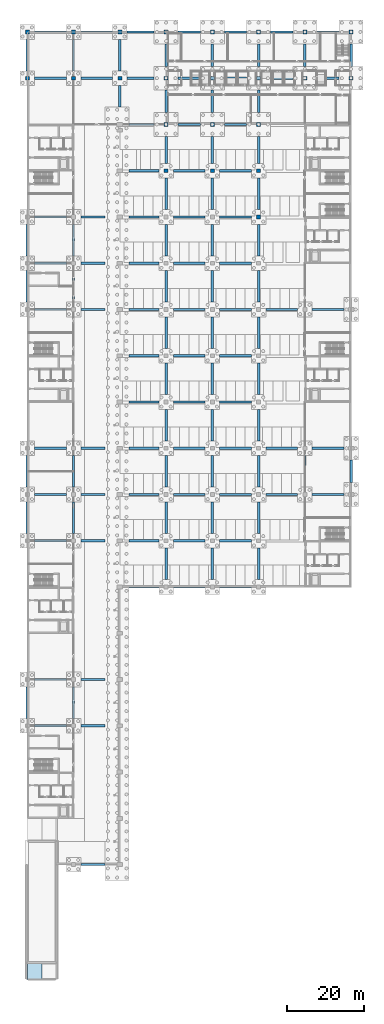
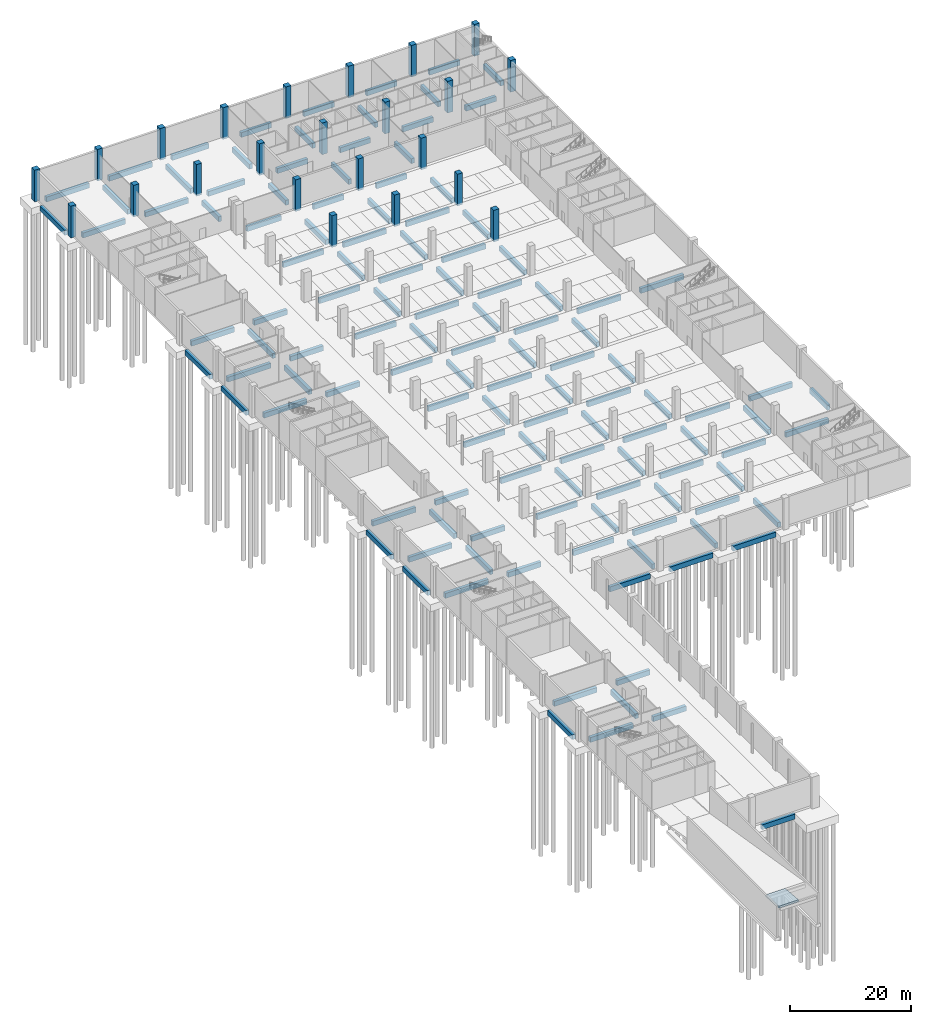
# One storey, part 14 of 34: 124 beams, 23 columns, 1 slab.
"""IFC4 building model written with IfcOpenShell, lengths in metres."""

from ifc_helpers import new_model, si_unit, direction, frame, origin, origin_2d, place, context, subcontext, project, spatial, polyline, rectangle, outline, extrude, material, layer, layer_set, material_profile, profile_set, type_object, element, save


model = new_model("IFC4")

# Units and contexts
model_context = context("Model", 3, precision=1e-05, world=origin(), true_north=direction((0.0, 1.0)))
body_context = subcontext(model_context, "Body", "Model", "MODEL_VIEW")
ifc_project = project(units=[si_unit("LENGTHUNIT", "METRE"), si_unit("AREAUNIT", "SQUARE_METRE"), si_unit("VOLUMEUNIT", "CUBIC_METRE"), si_unit("PLANEANGLEUNIT", "RADIAN"), si_unit("MASSUNIT", "GRAM", prefix="KILO")], contexts=[model_context])

# Site, building, storey
site_placement = place(None, origin())
site = spatial("IfcSite", under=ifc_project, at=site_placement, CompositionType="ELEMENT")
building_placement = place(site_placement, origin())
building = spatial("IfcBuilding", under=site, at=building_placement, Name="Lilac Gate Convention Centre", CompositionType="ELEMENT")
storey_placement = place(building_placement, frame((0.0, 0.0, -6.0)))
storey = spatial("IfcBuildingStorey", under=building, at=storey_placement, Name="B1", CompositionType="ELEMENT", Elevation=-6.0)

# Columns
ifc_material_1 = material(Name="Concrete C40", Category="concrete")
ifc_material_profile_1 = material_profile(ifc_material_1, rectangle(XDim=1.0, YDim=1.0, at=origin_2d()), Name="RC 1000x1000")
ifc_profile_set_1 = profile_set([ifc_material_profile_1], Name="Concrete C40")
column_type_1 = type_object("IfcColumnType", Name="RC column 1000x1000 C40", PredefinedType="COLUMN", material=ifc_profile_set_1)
for number, where, z_axis, x_axis, name in (
    (1, (6.0, 234.0, -0.39990234375), (0.0, 0.0, 1.0), (1.0, 0.0, 0.0), "C1 B1 at 1/T"),
    (2, (6.0, 246.0, -0.39990234375), (0.0, 0.0, 1.0), (1.0, 0.0, 0.0), "C1 B1 at 1/U"),
    (3, (18.0, 234.0, -0.39990234375), (0.0, 0.0, 1.0), (1.0, 0.0, 0.0), "C1 B1 at 2/T"),
    (4, (18.0, 246.0, -0.39990234375), (0.0, 0.0, 1.0), (1.0, 0.0, 0.0), "C1 B1 at 2/U"),
    (5, (30.0, 234.0, -0.39990234375), (0.0, 0.0, 1.0), (1.0, 0.0, 0.0), "C1 B1 at 3/T"),
    (6, (30.0, 246.0, -0.39990234375), (0.0, 0.0, 1.0), (1.0, 0.0, 0.0), "C1 B1 at 3/U"),
    (7, (42.0, 210.0, -0.39990234375), (0.0, 0.0, 1.0), (1.0, 0.0, 0.0), "C1 B1 at 4/R"),
    (8, (54.0, 210.0, -0.39990234375), (0.0, 0.0, 1.0), (1.0, 0.0, 0.0), "C1 B1 at 5/R"),
    (9, (66.0, 198.0, -0.39990234375), (0.0, 0.0, 1.0), (1.0, 0.0, 0.0), "C1 B1 at 6/Q"),
    (10, (66.0, 210.0, -0.39990234375), (0.0, 0.0, 1.0), (1.0, 0.0, 0.0), "C1 B1 at 6/R"),
):
    element("IfcColumn", number, at=place(storey_placement, frame(where, z_axis=z_axis, x_axis=x_axis)), inside=storey, type_object=column_type_1, Name=name, PredefinedType="COLUMN", context=body_context, shape_type="SweptSolid", body=[
        extrude(rectangle(XDim=1.0, YDim=1.0, at=origin_2d()), origin(), (0.0, 0.0, 1.0), 6.39990234375),
    ])
ifc_material_2 = material(Name="Concrete C50", Category="concrete")
ifc_material_profile_2 = material_profile(ifc_material_2, rectangle(XDim=1.0, YDim=1.0, at=origin_2d()), Name="RC 1000x1000")
ifc_profile_set_2 = profile_set([ifc_material_profile_2], Name="Concrete C50")
column_type_2 = type_object("IfcColumnType", Name="RC tower column 1000x1000 C50", PredefinedType="COLUMN", material=ifc_profile_set_2)
for number, where, z_axis, x_axis, name in (
    (11, (42.0, 222.0, -0.39990234375), (0.0, 0.0, 1.0), (1.0, 0.0, 0.0), "C3 B1 at 4/S"),
    (12, (42.0, 234.0, -0.39990234375), (0.0, 0.0, 1.0), (1.0, 0.0, 0.0), "C3 B1 at 4/T"),
    (13, (42.0, 246.0, -0.39990234375), (0.0, 0.0, 1.0), (1.0, 0.0, 0.0), "C3 B1 at 4/U"),
    (14, (54.0, 222.0, -0.39990234375), (0.0, 0.0, 1.0), (1.0, 0.0, 0.0), "C3 B1 at 5/S"),
    (15, (54.0, 234.0, -0.39990234375), (0.0, 0.0, 1.0), (1.0, 0.0, 0.0), "C3 B1 at 5/T"),
    (16, (54.0, 246.0, -0.39990234375), (0.0, 0.0, 1.0), (1.0, 0.0, 0.0), "C3 B1 at 5/U"),
    (17, (66.0, 222.0, -0.39990234375), (0.0, 0.0, 1.0), (1.0, 0.0, 0.0), "C3 B1 at 6/S"),
    (18, (66.0, 234.0, -0.39990234375), (0.0, 0.0, 1.0), (1.0, 0.0, 0.0), "C3 B1 at 6/T"),
    (19, (66.0, 246.0, -0.39990234375), (0.0, 0.0, 1.0), (1.0, 0.0, 0.0), "C3 B1 at 6/U"),
    (20, (78.0, 234.0, -0.39990234375), (0.0, 0.0, 1.0), (1.0, 0.0, 0.0), "C3 B1 at 7/T"),
    (21, (78.0, 246.0, -0.39990234375), (0.0, 0.0, 1.0), (1.0, 0.0, 0.0), "C3 B1 at 7/U"),
    (22, (90.0, 234.0, -0.39990234375), (0.0, 0.0, 1.0), (1.0, 0.0, 0.0), "C3 B1 at 8/T"),
    (23, (90.0, 246.0, -0.39990234375), (0.0, 0.0, 1.0), (1.0, 0.0, 0.0), "C3 B1 at 8/U"),
):
    element("IfcColumn", number, at=place(storey_placement, frame(where, z_axis=z_axis, x_axis=x_axis)), inside=storey, type_object=column_type_2, Name=name, PredefinedType="COLUMN", context=body_context, shape_type="SweptSolid", body=[
        extrude(rectangle(XDim=1.0, YDim=1.0, at=origin_2d()), origin(), (0.0, 0.0, 1.0), 6.39990234375),
    ])

# Beams
ifc_material_profile_3 = material_profile(ifc_material_1, rectangle(XDim=0.60009765625, YDim=1.0, at=origin_2d()), Name="RC 600x1000")
ifc_profile_set_3 = profile_set([ifc_material_profile_3], Name="Concrete C40")
beam_type = type_object("IfcBeamType", Name="Ground beam 600x1000 C40", PredefinedType="BEAM", material=ifc_profile_set_3)
beam_1_placement = place(storey_placement, frame((19.89990234375, 30.0, -0.89990234375), z_axis=(1.0, 0.0, 0.0), x_axis=(0.0, 1.0, 0.0)))
element("IfcBeam", 24, at=beam_1_placement, inside=storey, type_object=beam_type, Name="GB1 ground beam PC1-PC3", PredefinedType="BEAM", context=body_context, shape_type="SweptSolid", body=[
    extrude(rectangle(XDim=0.60009765625, YDim=1.0, at=origin_2d()), origin(), (0.0, 0.0, 1.0), 6.300048828125),
])
for number, where, z_axis, x_axis, name in (
    (25, (7.89990234375, 66.0, -0.89990234375), (1.0, 0.0, 0.0), (0.0, 1.0, 0.0), "GB1 ground beam PC1-PC1"),
    (26, (6.0, 67.89990234375, -0.89990234375), (0.0, 1.0, 0.0), (-1.0, 0.0, 0.0), "GB1 ground beam PC1-PC1"),
    (27, (18.0, 67.89990234375, -0.89990234375), (0.0, 1.0, 0.0), (-1.0, 0.0, 0.0), "GB1 ground beam PC1-PC1"),
):
    element("IfcBeam", number, at=place(storey_placement, frame(where, z_axis=z_axis, x_axis=x_axis)), inside=storey, type_object=beam_type, Name=name, PredefinedType="BEAM", context=body_context, shape_type="SweptSolid", body=[
        extrude(rectangle(XDim=0.60009765625, YDim=1.0, at=origin_2d()), origin(), (0.0, 0.0, 1.0), 8.2001953125),
    ])
beam_2_placement = place(storey_placement, frame((19.89990234375, 66.0, -0.89990234375), z_axis=(1.0, 0.0, 0.0), x_axis=(0.0, 1.0, 0.0)))
element("IfcBeam", 28, at=beam_2_placement, inside=storey, type_object=beam_type, Name="GB1 ground beam PC1-PC3", PredefinedType="BEAM", context=body_context, shape_type="SweptSolid", body=[
    extrude(rectangle(XDim=0.60009765625, YDim=1.0, at=origin_2d()), origin(), (0.0, 0.0, 1.0), 6.300048828125),
])
beam_3_placement = place(storey_placement, frame((7.89990234375, 78.0, -0.89990234375), z_axis=(1.0, 0.0, 0.0), x_axis=(0.0, 1.0, 0.0)))
element("IfcBeam", 29, at=beam_3_placement, inside=storey, type_object=beam_type, Name="GB1 ground beam PC1-PC1", PredefinedType="BEAM", context=body_context, shape_type="SweptSolid", body=[
    extrude(rectangle(XDim=0.60009765625, YDim=1.0, at=origin_2d()), origin(), (0.0, 0.0, 1.0), 8.2001953125),
])
beam_4_placement = place(storey_placement, frame((19.89990234375, 78.0, -0.89990234375), z_axis=(1.0, 0.0, 0.0), x_axis=(0.0, 1.0, 0.0)))
element("IfcBeam", 30, at=beam_4_placement, inside=storey, type_object=beam_type, Name="GB1 ground beam PC1-PC3", PredefinedType="BEAM", context=body_context, shape_type="SweptSolid", body=[
    extrude(rectangle(XDim=0.60009765625, YDim=1.0, at=origin_2d()), origin(), (0.0, 0.0, 1.0), 6.300048828125),
])
for number, where, z_axis, x_axis, name in (
    (31, (43.89990234375, 102.0, -0.89990234375), (1.0, 0.0, 0.0), (0.0, 1.0, 0.0), "GB1 ground beam PC1-PC1"),
    (32, (42.0, 103.89990234375, -0.89990234375), (0.0, 1.0, 0.0), (-1.0, 0.0, 0.0), "GB1 ground beam PC1-PC1"),
):
    element("IfcBeam", number, at=place(storey_placement, frame(where, z_axis=z_axis, x_axis=x_axis)), inside=storey, type_object=beam_type, Name=name, PredefinedType="BEAM", context=body_context, shape_type="SweptSolid", body=[
        extrude(rectangle(XDim=0.60009765625, YDim=1.0, at=origin_2d()), origin(), (0.0, 0.0, 1.0), 8.2001953125),
    ])
beam_5_placement = place(storey_placement, frame((32.39990234375, 102.0, -0.89990234375), z_axis=(1.0, 0.0, 0.0), x_axis=(0.0, 1.0, 0.0)))
element("IfcBeam", 33, at=beam_5_placement, inside=storey, type_object=beam_type, Name="GB1 ground beam PC1-PC3", PredefinedType="BEAM", context=body_context, shape_type="SweptSolid", body=[
    extrude(rectangle(XDim=0.60009765625, YDim=1.0, at=origin_2d()), origin(), (0.0, 0.0, 1.0), 7.7001953125),
])
for number, where, z_axis, x_axis, name in (
    (34, (55.89990234375, 102.0, -0.89990234375), (1.0, 0.0, 0.0), (0.0, 1.0, 0.0), "GB1 ground beam PC1-PC1"),
    (35, (54.0, 103.89990234375, -0.89990234375), (0.0, 1.0, 0.0), (-1.0, 0.0, 0.0), "GB1 ground beam PC1-PC1"),
    (36, (66.0, 103.89990234375, -0.89990234375), (0.0, 1.0, 0.0), (-1.0, 0.0, 0.0), "GB1 ground beam PC1-PC1"),
    (37, (7.89990234375, 114.0, -0.89990234375), (1.0, 0.0, 0.0), (0.0, 1.0, 0.0), "GB1 ground beam PC1-PC1"),
    (38, (6.0, 115.89990234375, -0.89990234375), (0.0, 1.0, 0.0), (-1.0, 0.0, 0.0), "GB1 ground beam PC1-PC1"),
    (39, (18.0, 115.89990234375, -0.89990234375), (0.0, 1.0, 0.0), (-1.0, 0.0, 0.0), "GB1 ground beam PC1-PC1"),
):
    element("IfcBeam", number, at=place(storey_placement, frame(where, z_axis=z_axis, x_axis=x_axis)), inside=storey, type_object=beam_type, Name=name, PredefinedType="BEAM", context=body_context, shape_type="SweptSolid", body=[
        extrude(rectangle(XDim=0.60009765625, YDim=1.0, at=origin_2d()), origin(), (0.0, 0.0, 1.0), 8.2001953125),
    ])
beam_6_placement = place(storey_placement, frame((19.89990234375, 114.0, -0.89990234375), z_axis=(1.0, 0.0, 0.0), x_axis=(0.0, 1.0, 0.0)))
element("IfcBeam", 40, at=beam_6_placement, inside=storey, type_object=beam_type, Name="GB1 ground beam PC1-PC3", PredefinedType="BEAM", context=body_context, shape_type="SweptSolid", body=[
    extrude(rectangle(XDim=0.60009765625, YDim=1.0, at=origin_2d()), origin(), (0.0, 0.0, 1.0), 6.300048828125),
])
for number, where, z_axis, x_axis, name in (
    (41, (43.89990234375, 114.0, -0.89990234375), (1.0, 0.0, 0.0), (0.0, 1.0, 0.0), "GB1 ground beam PC1-PC1"),
    (42, (42.0, 115.89990234375, -0.89990234375), (0.0, 1.0, 0.0), (-1.0, 0.0, 0.0), "GB1 ground beam PC1-PC1"),
):
    element("IfcBeam", number, at=place(storey_placement, frame(where, z_axis=z_axis, x_axis=x_axis)), inside=storey, type_object=beam_type, Name=name, PredefinedType="BEAM", context=body_context, shape_type="SweptSolid", body=[
        extrude(rectangle(XDim=0.60009765625, YDim=1.0, at=origin_2d()), origin(), (0.0, 0.0, 1.0), 8.2001953125),
    ])
beam_7_placement = place(storey_placement, frame((32.39990234375, 114.0, -0.89990234375), z_axis=(1.0, 0.0, 0.0), x_axis=(0.0, 1.0, 0.0)))
element("IfcBeam", 43, at=beam_7_placement, inside=storey, type_object=beam_type, Name="GB1 ground beam PC1-PC3", PredefinedType="BEAM", context=body_context, shape_type="SweptSolid", body=[
    extrude(rectangle(XDim=0.60009765625, YDim=1.0, at=origin_2d()), origin(), (0.0, 0.0, 1.0), 7.7001953125),
])
for number, where, z_axis, x_axis, name in (
    (44, (55.89990234375, 114.0, -0.89990234375), (1.0, 0.0, 0.0), (0.0, 1.0, 0.0), "GB1 ground beam PC1-PC1"),
    (45, (54.0, 115.89990234375, -0.89990234375), (0.0, 1.0, 0.0), (-1.0, 0.0, 0.0), "GB1 ground beam PC1-PC1"),
    (46, (66.0, 115.89990234375, -0.89990234375), (0.0, 1.0, 0.0), (-1.0, 0.0, 0.0), "GB1 ground beam PC1-PC1"),
    (47, (7.89990234375, 126.0, -0.89990234375), (1.0, 0.0, 0.0), (0.0, 1.0, 0.0), "GB1 ground beam PC1-PC1"),
    (48, (6.0, 127.89990234375, -0.89990234375), (0.0, 1.0, 0.0), (-1.0, 0.0, 0.0), "GB1 ground beam PC1-PC1"),
):
    element("IfcBeam", number, at=place(storey_placement, frame(where, z_axis=z_axis, x_axis=x_axis)), inside=storey, type_object=beam_type, Name=name, PredefinedType="BEAM", context=body_context, shape_type="SweptSolid", body=[
        extrude(rectangle(XDim=0.60009765625, YDim=1.0, at=origin_2d()), origin(), (0.0, 0.0, 1.0), 8.2001953125),
    ])
beam_8_placement = place(storey_placement, frame((19.89990234375, 126.0, -0.89990234375), z_axis=(1.0, 0.0, 0.0), x_axis=(0.0, 1.0, 0.0)))
element("IfcBeam", 49, at=beam_8_placement, inside=storey, type_object=beam_type, Name="GB1 ground beam PC1-PC3", PredefinedType="BEAM", context=body_context, shape_type="SweptSolid", body=[
    extrude(rectangle(XDim=0.60009765625, YDim=1.0, at=origin_2d()), origin(), (0.0, 0.0, 1.0), 6.300048828125),
])
for number, where, z_axis, x_axis, name in (
    (50, (18.0, 127.89990234375, -0.89990234375), (0.0, 1.0, 0.0), (-1.0, 0.0, 0.0), "GB1 ground beam PC1-PC1"),
    (51, (43.89990234375, 126.0, -0.89990234375), (1.0, 0.0, 0.0), (0.0, 1.0, 0.0), "GB1 ground beam PC1-PC1"),
):
    element("IfcBeam", number, at=place(storey_placement, frame(where, z_axis=z_axis, x_axis=x_axis)), inside=storey, type_object=beam_type, Name=name, PredefinedType="BEAM", context=body_context, shape_type="SweptSolid", body=[
        extrude(rectangle(XDim=0.60009765625, YDim=1.0, at=origin_2d()), origin(), (0.0, 0.0, 1.0), 8.2001953125),
    ])
beam_9_placement = place(storey_placement, frame((32.39990234375, 126.0, -0.89990234375), z_axis=(1.0, 0.0, 0.0), x_axis=(0.0, 1.0, 0.0)))
element("IfcBeam", 52, at=beam_9_placement, inside=storey, type_object=beam_type, Name="GB1 ground beam PC1-PC3", PredefinedType="BEAM", context=body_context, shape_type="SweptSolid", body=[
    extrude(rectangle(XDim=0.60009765625, YDim=1.0, at=origin_2d()), origin(), (0.0, 0.0, 1.0), 7.7001953125),
])
for number, where, z_axis, x_axis, name in (
    (53, (42.0, 127.89990234375, -0.89990234375), (0.0, 1.0, 0.0), (-1.0, 0.0, 0.0), "GB1 ground beam PC1-PC1"),
    (54, (55.89990234375, 126.0, -0.89990234375), (1.0, 0.0, 0.0), (0.0, 1.0, 0.0), "GB1 ground beam PC1-PC1"),
    (55, (54.0, 127.89990234375, -0.89990234375), (0.0, 1.0, 0.0), (-1.0, 0.0, 0.0), "GB1 ground beam PC1-PC1"),
    (56, (67.89990234375, 126.0, -0.89990234375), (1.0, 0.0, 0.0), (0.0, 1.0, 0.0), "GB1 ground beam PC1-PC1"),
    (57, (66.0, 127.89990234375, -0.89990234375), (0.0, 1.0, 0.0), (-1.0, 0.0, 0.0), "GB1 ground beam PC1-PC1"),
    (58, (79.89990234375, 126.0, -0.89990234375), (1.0, 0.0, 0.0), (0.0, 1.0, 0.0), "GB1 ground beam PC1-PC2"),
    (59, (78.0, 127.89990234375, -0.89990234375), (0.0, 1.0, 0.0), (-1.0, 0.0, 0.0), "GB1 ground beam PC1-PC1"),
):
    element("IfcBeam", number, at=place(storey_placement, frame(where, z_axis=z_axis, x_axis=x_axis)), inside=storey, type_object=beam_type, Name=name, PredefinedType="BEAM", context=body_context, shape_type="SweptSolid", body=[
        extrude(rectangle(XDim=0.60009765625, YDim=1.0, at=origin_2d()), origin(), (0.0, 0.0, 1.0), 8.2001953125),
    ])
beam_10_placement = place(storey_placement, frame((90.0, 129.10009765625, -0.89990234375), z_axis=(0.0, 1.0, 0.0), x_axis=(-1.0, 0.0, 0.0)))
element("IfcBeam", 60, at=beam_10_placement, inside=storey, type_object=beam_type, Name="GB1 ground beam PC2-PC2", PredefinedType="BEAM", context=body_context, shape_type="SweptSolid", body=[
    extrude(rectangle(XDim=0.60009765625, YDim=1.0, at=origin_2d()), origin(), (0.0, 0.0, 1.0), 5.7998046875),
])
beam_11_placement = place(storey_placement, frame((19.89990234375, 138.0, -0.89990234375), z_axis=(1.0, 0.0, 0.0), x_axis=(0.0, 1.0, 0.0)))
element("IfcBeam", 61, at=beam_11_placement, inside=storey, type_object=beam_type, Name="GB1 ground beam PC3-PC1", PredefinedType="BEAM", context=body_context, shape_type="SweptSolid", body=[
    extrude(rectangle(XDim=0.60009765625, YDim=1.0, at=origin_2d()), origin(), (0.0, 0.0, 1.0), 6.300048828125),
])
for number, where, z_axis, x_axis, name in (
    (62, (32.39990234375, 138.0, -0.89990234375), (1.0, 0.0, 0.0), (0.0, 1.0, 0.0), "GB1 ground beam PC3-PC1"),
    (63, (32.39990234375, 150.0, -0.89990234375), (1.0, 0.0, 0.0), (0.0, 1.0, 0.0), "GB1 ground beam PC3-PC1"),
    (64, (32.39990234375, 162.0, -0.89990234375), (1.0, 0.0, 0.0), (0.0, 1.0, 0.0), "GB1 ground beam PC3-PC1"),
):
    element("IfcBeam", number, at=place(storey_placement, frame(where, z_axis=z_axis, x_axis=x_axis)), inside=storey, type_object=beam_type, Name=name, PredefinedType="BEAM", context=body_context, shape_type="SweptSolid", body=[
        extrude(rectangle(XDim=0.60009765625, YDim=1.0, at=origin_2d()), origin(), (0.0, 0.0, 1.0), 7.7001953125),
    ])
beam_12_placement = place(storey_placement, frame((19.89990234375, 174.0, -0.89990234375), z_axis=(1.0, 0.0, 0.0), x_axis=(0.0, 1.0, 0.0)))
element("IfcBeam", 65, at=beam_12_placement, inside=storey, type_object=beam_type, Name="GB1 ground beam PC3-PC1", PredefinedType="BEAM", context=body_context, shape_type="SweptSolid", body=[
    extrude(rectangle(XDim=0.60009765625, YDim=1.0, at=origin_2d()), origin(), (0.0, 0.0, 1.0), 6.300048828125),
])
beam_13_placement = place(storey_placement, frame((32.39990234375, 174.0, -0.89990234375), z_axis=(1.0, 0.0, 0.0), x_axis=(0.0, 1.0, 0.0)))
element("IfcBeam", 66, at=beam_13_placement, inside=storey, type_object=beam_type, Name="GB1 ground beam PC3-PC1", PredefinedType="BEAM", context=body_context, shape_type="SweptSolid", body=[
    extrude(rectangle(XDim=0.60009765625, YDim=1.0, at=origin_2d()), origin(), (0.0, 0.0, 1.0), 7.7001953125),
])
beam_14_placement = place(storey_placement, frame((19.89990234375, 186.0, -0.89990234375), z_axis=(1.0, 0.0, 0.0), x_axis=(0.0, 1.0, 0.0)))
element("IfcBeam", 67, at=beam_14_placement, inside=storey, type_object=beam_type, Name="GB1 ground beam PC3-PC1", PredefinedType="BEAM", context=body_context, shape_type="SweptSolid", body=[
    extrude(rectangle(XDim=0.60009765625, YDim=1.0, at=origin_2d()), origin(), (0.0, 0.0, 1.0), 6.300048828125),
])
beam_15_placement = place(storey_placement, frame((32.39990234375, 186.0, -0.89990234375), z_axis=(1.0, 0.0, 0.0), x_axis=(0.0, 1.0, 0.0)))
element("IfcBeam", 68, at=beam_15_placement, inside=storey, type_object=beam_type, Name="GB1 ground beam PC3-PC1", PredefinedType="BEAM", context=body_context, shape_type="SweptSolid", body=[
    extrude(rectangle(XDim=0.60009765625, YDim=1.0, at=origin_2d()), origin(), (0.0, 0.0, 1.0), 7.7001953125),
])
beam_16_placement = place(storey_placement, frame((19.89990234375, 198.0, -0.89990234375), z_axis=(1.0, 0.0, 0.0), x_axis=(0.0, 1.0, 0.0)))
element("IfcBeam", 69, at=beam_16_placement, inside=storey, type_object=beam_type, Name="GB1 ground beam PC3-PC1", PredefinedType="BEAM", context=body_context, shape_type="SweptSolid", body=[
    extrude(rectangle(XDim=0.60009765625, YDim=1.0, at=origin_2d()), origin(), (0.0, 0.0, 1.0), 6.300048828125),
])
for number, where, z_axis, x_axis, name in (
    (70, (32.39990234375, 198.0, -0.89990234375), (1.0, 0.0, 0.0), (0.0, 1.0, 0.0), "GB1 ground beam PC3-PC1"),
    (71, (32.39990234375, 210.0, -0.89990234375), (1.0, 0.0, 0.0), (0.0, 1.0, 0.0), "GB1 ground beam PC3-PC1"),
):
    element("IfcBeam", number, at=place(storey_placement, frame(where, z_axis=z_axis, x_axis=x_axis)), inside=storey, type_object=beam_type, Name=name, PredefinedType="BEAM", context=body_context, shape_type="SweptSolid", body=[
        extrude(rectangle(XDim=0.60009765625, YDim=1.0, at=origin_2d()), origin(), (0.0, 0.0, 1.0), 7.7001953125),
    ])
beam_17_placement = place(storey_placement, frame((32.39990234375, 222.0, -0.89990234375), z_axis=(1.0, 0.0, 0.0), x_axis=(0.0, 1.0, 0.0)))
element("IfcBeam", 72, at=beam_17_placement, inside=storey, type_object=beam_type, Name="GB1 ground beam PC3-PC4", PredefinedType="BEAM", context=body_context, shape_type="SweptSolid", body=[
    extrude(rectangle(XDim=0.60009765625, YDim=1.0, at=origin_2d()), origin(), (0.0, 0.0, 1.0), 6.5),
])
beam_18_placement = place(storey_placement, frame((30.0, 226.52490234375, -0.89990234375), z_axis=(0.0, 1.0, 0.0), x_axis=(-1.0, 0.0, 0.0)))
element("IfcBeam", 73, at=beam_18_placement, inside=storey, type_object=beam_type, Name="GB1 ground beam PC3-PC1", PredefinedType="BEAM", context=body_context, shape_type="SweptSolid", body=[
    extrude(rectangle(XDim=0.60009765625, YDim=1.0, at=origin_2d()), origin(), (0.0, 0.0, 1.0), 5.5751953125),
])
for number, where, z_axis, x_axis, name in (
    (74, (7.89990234375, 138.0, -0.89990234375), (1.0, 0.0, 0.0), (0.0, 1.0, 0.0), "GB1 ground beam PC1-PC1"),
    (75, (43.89990234375, 138.0, -0.89990234375), (1.0, 0.0, 0.0), (0.0, 1.0, 0.0), "GB1 ground beam PC1-PC1"),
    (76, (42.0, 139.89990234375, -0.89990234375), (0.0, 1.0, 0.0), (-1.0, 0.0, 0.0), "GB1 ground beam PC1-PC1"),
    (77, (55.89990234375, 138.0, -0.89990234375), (1.0, 0.0, 0.0), (0.0, 1.0, 0.0), "GB1 ground beam PC1-PC1"),
    (78, (54.0, 139.89990234375, -0.89990234375), (0.0, 1.0, 0.0), (-1.0, 0.0, 0.0), "GB1 ground beam PC1-PC1"),
    (79, (67.89990234375, 138.0, -0.89990234375), (1.0, 0.0, 0.0), (0.0, 1.0, 0.0), "GB1 ground beam PC1-PC1"),
    (80, (66.0, 139.89990234375, -0.89990234375), (0.0, 1.0, 0.0), (-1.0, 0.0, 0.0), "GB1 ground beam PC1-PC1"),
    (81, (79.89990234375, 138.0, -0.89990234375), (1.0, 0.0, 0.0), (0.0, 1.0, 0.0), "GB1 ground beam PC1-PC2"),
    (82, (43.89990234375, 150.0, -0.89990234375), (1.0, 0.0, 0.0), (0.0, 1.0, 0.0), "GB1 ground beam PC1-PC1"),
    (83, (42.0, 151.89990234375, -0.89990234375), (0.0, 1.0, 0.0), (-1.0, 0.0, 0.0), "GB1 ground beam PC1-PC1"),
    (84, (55.89990234375, 150.0, -0.89990234375), (1.0, 0.0, 0.0), (0.0, 1.0, 0.0), "GB1 ground beam PC1-PC1"),
    (85, (54.0, 151.89990234375, -0.89990234375), (0.0, 1.0, 0.0), (-1.0, 0.0, 0.0), "GB1 ground beam PC1-PC1"),
    (86, (66.0, 151.89990234375, -0.89990234375), (0.0, 1.0, 0.0), (-1.0, 0.0, 0.0), "GB1 ground beam PC1-PC1"),
    (87, (43.89990234375, 162.0, -0.89990234375), (1.0, 0.0, 0.0), (0.0, 1.0, 0.0), "GB1 ground beam PC1-PC1"),
    (88, (42.0, 163.89990234375, -0.89990234375), (0.0, 1.0, 0.0), (-1.0, 0.0, 0.0), "GB1 ground beam PC1-PC1"),
    (89, (55.89990234375, 162.0, -0.89990234375), (1.0, 0.0, 0.0), (0.0, 1.0, 0.0), "GB1 ground beam PC1-PC1"),
    (90, (54.0, 163.89990234375, -0.89990234375), (0.0, 1.0, 0.0), (-1.0, 0.0, 0.0), "GB1 ground beam PC1-PC1"),
    (91, (66.0, 163.89990234375, -0.89990234375), (0.0, 1.0, 0.0), (-1.0, 0.0, 0.0), "GB1 ground beam PC1-PC1"),
    (92, (7.89990234375, 174.0, -0.89990234375), (1.0, 0.0, 0.0), (0.0, 1.0, 0.0), "GB1 ground beam PC1-PC1"),
    (93, (6.0, 175.89990234375, -0.89990234375), (0.0, 1.0, 0.0), (-1.0, 0.0, 0.0), "GB1 ground beam PC1-PC1"),
    (94, (18.0, 175.89990234375, -0.89990234375), (0.0, 1.0, 0.0), (-1.0, 0.0, 0.0), "GB1 ground beam PC1-PC1"),
    (95, (43.89990234375, 174.0, -0.89990234375), (1.0, 0.0, 0.0), (0.0, 1.0, 0.0), "GB1 ground beam PC1-PC1"),
    (96, (42.0, 175.89990234375, -0.89990234375), (0.0, 1.0, 0.0), (-1.0, 0.0, 0.0), "GB1 ground beam PC1-PC1"),
    (97, (55.89990234375, 174.0, -0.89990234375), (1.0, 0.0, 0.0), (0.0, 1.0, 0.0), "GB1 ground beam PC1-PC1"),
    (98, (54.0, 175.89990234375, -0.89990234375), (0.0, 1.0, 0.0), (-1.0, 0.0, 0.0), "GB1 ground beam PC1-PC1"),
    (99, (67.89990234375, 174.0, -0.89990234375), (1.0, 0.0, 0.0), (0.0, 1.0, 0.0), "GB1 ground beam PC1-PC1"),
    (100, (66.0, 175.89990234375, -0.89990234375), (0.0, 1.0, 0.0), (-1.0, 0.0, 0.0), "GB1 ground beam PC1-PC1"),
    (101, (79.89990234375, 174.0, -0.89990234375), (1.0, 0.0, 0.0), (0.0, 1.0, 0.0), "GB1 ground beam PC1-PC2"),
    (102, (7.89990234375, 186.0, -0.89990234375), (1.0, 0.0, 0.0), (0.0, 1.0, 0.0), "GB1 ground beam PC1-PC1"),
    (103, (6.0, 187.89990234375, -0.89990234375), (0.0, 1.0, 0.0), (-1.0, 0.0, 0.0), "GB1 ground beam PC1-PC1"),
    (104, (18.0, 187.89990234375, -0.89990234375), (0.0, 1.0, 0.0), (-1.0, 0.0, 0.0), "GB1 ground beam PC1-PC1"),
    (105, (43.89990234375, 186.0, -0.89990234375), (1.0, 0.0, 0.0), (0.0, 1.0, 0.0), "GB1 ground beam PC1-PC1"),
    (106, (42.0, 187.89990234375, -0.89990234375), (0.0, 1.0, 0.0), (-1.0, 0.0, 0.0), "GB1 ground beam PC1-PC1"),
    (107, (55.89990234375, 186.0, -0.89990234375), (1.0, 0.0, 0.0), (0.0, 1.0, 0.0), "GB1 ground beam PC1-PC1"),
    (108, (54.0, 187.89990234375, -0.89990234375), (0.0, 1.0, 0.0), (-1.0, 0.0, 0.0), "GB1 ground beam PC1-PC1"),
    (109, (66.0, 187.89990234375, -0.89990234375), (0.0, 1.0, 0.0), (-1.0, 0.0, 0.0), "GB1 ground beam PC1-PC1"),
    (110, (7.89990234375, 198.0, -0.89990234375), (1.0, 0.0, 0.0), (0.0, 1.0, 0.0), "GB1 ground beam PC1-PC1"),
    (111, (43.89990234375, 198.0, -0.89990234375), (1.0, 0.0, 0.0), (0.0, 1.0, 0.0), "GB1 ground beam PC1-PC1"),
    (112, (42.0, 199.89990234375, -0.89990234375), (0.0, 1.0, 0.0), (-1.0, 0.0, 0.0), "GB1 ground beam PC1-PC1"),
    (113, (55.89990234375, 198.0, -0.89990234375), (1.0, 0.0, 0.0), (0.0, 1.0, 0.0), "GB1 ground beam PC1-PC1"),
    (114, (54.0, 199.89990234375, -0.89990234375), (0.0, 1.0, 0.0), (-1.0, 0.0, 0.0), "GB1 ground beam PC1-PC1"),
    (115, (66.0, 199.89990234375, -0.89990234375), (0.0, 1.0, 0.0), (-1.0, 0.0, 0.0), "GB1 ground beam PC1-PC1"),
    (116, (43.89990234375, 210.0, -0.89990234375), (1.0, 0.0, 0.0), (0.0, 1.0, 0.0), "GB1 ground beam PC1-PC1"),
):
    element("IfcBeam", number, at=place(storey_placement, frame(where, z_axis=z_axis, x_axis=x_axis)), inside=storey, type_object=beam_type, Name=name, PredefinedType="BEAM", context=body_context, shape_type="SweptSolid", body=[
        extrude(rectangle(XDim=0.60009765625, YDim=1.0, at=origin_2d()), origin(), (0.0, 0.0, 1.0), 8.2001953125),
    ])
beam_19_placement = place(storey_placement, frame((42.0, 211.89990234375, -0.89990234375), z_axis=(0.0, 1.0, 0.0), x_axis=(-1.0, 0.0, 0.0)))
element("IfcBeam", 117, at=beam_19_placement, inside=storey, type_object=beam_type, Name="GB1 ground beam PC1-PC4", PredefinedType="BEAM", context=body_context, shape_type="SweptSolid", body=[
    extrude(rectangle(XDim=0.60009765625, YDim=1.0, at=origin_2d()), origin(), (0.0, 0.0, 1.0), 7.0),
])
beam_20_placement = place(storey_placement, frame((55.89990234375, 210.0, -0.89990234375), z_axis=(1.0, 0.0, 0.0), x_axis=(0.0, 1.0, 0.0)))
element("IfcBeam", 118, at=beam_20_placement, inside=storey, type_object=beam_type, Name="GB1 ground beam PC1-PC1", PredefinedType="BEAM", context=body_context, shape_type="SweptSolid", body=[
    extrude(rectangle(XDim=0.60009765625, YDim=1.0, at=origin_2d()), origin(), (0.0, 0.0, 1.0), 8.2001953125),
])
for number, where, z_axis, x_axis, name in (
    (119, (54.0, 211.89990234375, -0.89990234375), (0.0, 1.0, 0.0), (-1.0, 0.0, 0.0), "GB1 ground beam PC1-PC4"),
    (120, (66.0, 211.89990234375, -0.89990234375), (0.0, 1.0, 0.0), (-1.0, 0.0, 0.0), "GB1 ground beam PC1-PC4"),
):
    element("IfcBeam", number, at=place(storey_placement, frame(where, z_axis=z_axis, x_axis=x_axis)), inside=storey, type_object=beam_type, Name=name, PredefinedType="BEAM", context=body_context, shape_type="SweptSolid", body=[
        extrude(rectangle(XDim=0.60009765625, YDim=1.0, at=origin_2d()), origin(), (0.0, 0.0, 1.0), 7.0),
    ])
for number, where, z_axis, x_axis, name in (
    (121, (45.10009765625, 222.0, -0.89990234375), (1.0, 0.0, 0.0), (0.0, 1.0, 0.0), "GB1 ground beam PC4-PC4"),
    (122, (42.0, 225.10009765625, -0.89990234375), (0.0, 1.0, 0.0), (-1.0, 0.0, 0.0), "GB1 ground beam PC4-PC4"),
    (123, (57.10009765625, 222.0, -0.89990234375), (1.0, 0.0, 0.0), (0.0, 1.0, 0.0), "GB1 ground beam PC4-PC4"),
    (124, (54.0, 225.10009765625, -0.89990234375), (0.0, 1.0, 0.0), (-1.0, 0.0, 0.0), "GB1 ground beam PC4-PC4"),
    (125, (66.0, 225.10009765625, -0.89990234375), (0.0, 1.0, 0.0), (-1.0, 0.0, 0.0), "GB1 ground beam PC4-PC4"),
):
    element("IfcBeam", number, at=place(storey_placement, frame(where, z_axis=z_axis, x_axis=x_axis)), inside=storey, type_object=beam_type, Name=name, PredefinedType="BEAM", context=body_context, shape_type="SweptSolid", body=[
        extrude(rectangle(XDim=0.60009765625, YDim=1.0, at=origin_2d()), origin(), (0.0, 0.0, 1.0), 5.7998046875),
    ])
for number, where, z_axis, x_axis, name in (
    (126, (7.89990234375, 234.0, -0.89990234375), (1.0, 0.0, 0.0), (0.0, 1.0, 0.0), "GB1 ground beam PC1-PC1"),
    (127, (6.0, 235.89990234375, -0.89990234375), (0.0, 1.0, 0.0), (-1.0, 0.0, 0.0), "GB1 ground beam PC1-PC1"),
    (128, (19.89990234375, 234.0, -0.89990234375), (1.0, 0.0, 0.0), (0.0, 1.0, 0.0), "GB1 ground beam PC1-PC1"),
    (129, (18.0, 235.89990234375, -0.89990234375), (0.0, 1.0, 0.0), (-1.0, 0.0, 0.0), "GB1 ground beam PC1-PC1"),
):
    element("IfcBeam", number, at=place(storey_placement, frame(where, z_axis=z_axis, x_axis=x_axis)), inside=storey, type_object=beam_type, Name=name, PredefinedType="BEAM", context=body_context, shape_type="SweptSolid", body=[
        extrude(rectangle(XDim=0.60009765625, YDim=1.0, at=origin_2d()), origin(), (0.0, 0.0, 1.0), 8.2001953125),
    ])
beam_21_placement = place(storey_placement, frame((31.89990234375, 234.0, -0.89990234375), z_axis=(1.0, 0.0, 0.0), x_axis=(0.0, 1.0, 0.0)))
element("IfcBeam", 130, at=beam_21_placement, inside=storey, type_object=beam_type, Name="GB1 ground beam PC1-PC4", PredefinedType="BEAM", context=body_context, shape_type="SweptSolid", body=[
    extrude(rectangle(XDim=0.60009765625, YDim=1.0, at=origin_2d()), origin(), (0.0, 0.0, 1.0), 7.0),
])
beam_22_placement = place(storey_placement, frame((30.0, 235.89990234375, -0.89990234375), z_axis=(0.0, 1.0, 0.0), x_axis=(-1.0, 0.0, 0.0)))
element("IfcBeam", 131, at=beam_22_placement, inside=storey, type_object=beam_type, Name="GB1 ground beam PC1-PC1", PredefinedType="BEAM", context=body_context, shape_type="SweptSolid", body=[
    extrude(rectangle(XDim=0.60009765625, YDim=1.0, at=origin_2d()), origin(), (0.0, 0.0, 1.0), 8.2001953125),
])
for number, where, z_axis, x_axis, name in (
    (132, (45.10009765625, 234.0, -0.89990234375), (1.0, 0.0, 0.0), (0.0, 1.0, 0.0), "GB1 ground beam PC4-PC4"),
    (133, (42.0, 237.10009765625, -0.89990234375), (0.0, 1.0, 0.0), (-1.0, 0.0, 0.0), "GB1 ground beam PC4-PC4"),
    (134, (57.10009765625, 234.0, -0.89990234375), (1.0, 0.0, 0.0), (0.0, 1.0, 0.0), "GB1 ground beam PC4-PC4"),
    (135, (54.0, 237.10009765625, -0.89990234375), (0.0, 1.0, 0.0), (-1.0, 0.0, 0.0), "GB1 ground beam PC4-PC4"),
    (136, (69.10009765625, 234.0, -0.89990234375), (1.0, 0.0, 0.0), (0.0, 1.0, 0.0), "GB1 ground beam PC4-PC4"),
    (137, (66.0, 237.10009765625, -0.89990234375), (0.0, 1.0, 0.0), (-1.0, 0.0, 0.0), "GB1 ground beam PC4-PC4"),
    (138, (81.10009765625, 234.0, -0.89990234375), (1.0, 0.0, 0.0), (0.0, 1.0, 0.0), "GB1 ground beam PC4-PC4"),
    (139, (78.0, 237.10009765625, -0.89990234375), (0.0, 1.0, 0.0), (-1.0, 0.0, 0.0), "GB1 ground beam PC4-PC4"),
    (140, (90.0, 237.10009765625, -0.89990234375), (0.0, 1.0, 0.0), (-1.0, 0.0, 0.0), "GB1 ground beam PC4-PC4"),
):
    element("IfcBeam", number, at=place(storey_placement, frame(where, z_axis=z_axis, x_axis=x_axis)), inside=storey, type_object=beam_type, Name=name, PredefinedType="BEAM", context=body_context, shape_type="SweptSolid", body=[
        extrude(rectangle(XDim=0.60009765625, YDim=1.0, at=origin_2d()), origin(), (0.0, 0.0, 1.0), 5.7998046875),
    ])
for number, where, z_axis, x_axis, name in (
    (141, (7.89990234375, 246.0, -0.89990234375), (1.0, 0.0, 0.0), (0.0, 1.0, 0.0), "GB1 ground beam PC1-PC1"),
    (142, (19.89990234375, 246.0, -0.89990234375), (1.0, 0.0, 0.0), (0.0, 1.0, 0.0), "GB1 ground beam PC1-PC1"),
):
    element("IfcBeam", number, at=place(storey_placement, frame(where, z_axis=z_axis, x_axis=x_axis)), inside=storey, type_object=beam_type, Name=name, PredefinedType="BEAM", context=body_context, shape_type="SweptSolid", body=[
        extrude(rectangle(XDim=0.60009765625, YDim=1.0, at=origin_2d()), origin(), (0.0, 0.0, 1.0), 8.2001953125),
    ])
beam_23_placement = place(storey_placement, frame((31.89990234375, 246.0, -0.89990234375), z_axis=(1.0, 0.0, 0.0), x_axis=(0.0, 1.0, 0.0)))
element("IfcBeam", 143, at=beam_23_placement, inside=storey, type_object=beam_type, Name="GB1 ground beam PC1-PC4", PredefinedType="BEAM", context=body_context, shape_type="SweptSolid", body=[
    extrude(rectangle(XDim=0.60009765625, YDim=1.0, at=origin_2d()), origin(), (0.0, 0.0, 1.0), 7.0),
])
for number, where, z_axis, x_axis, name in (
    (144, (45.10009765625, 246.0, -0.89990234375), (1.0, 0.0, 0.0), (0.0, 1.0, 0.0), "GB1 ground beam PC4-PC4"),
    (145, (57.10009765625, 246.0, -0.89990234375), (1.0, 0.0, 0.0), (0.0, 1.0, 0.0), "GB1 ground beam PC4-PC4"),
    (146, (69.10009765625, 246.0, -0.89990234375), (1.0, 0.0, 0.0), (0.0, 1.0, 0.0), "GB1 ground beam PC4-PC4"),
    (147, (81.10009765625, 246.0, -0.89990234375), (1.0, 0.0, 0.0), (0.0, 1.0, 0.0), "GB1 ground beam PC4-PC4"),
):
    element("IfcBeam", number, at=place(storey_placement, frame(where, z_axis=z_axis, x_axis=x_axis)), inside=storey, type_object=beam_type, Name=name, PredefinedType="BEAM", context=body_context, shape_type="SweptSolid", body=[
        extrude(rectangle(XDim=0.60009765625, YDim=1.0, at=origin_2d()), origin(), (0.0, 0.0, 1.0), 5.7998046875),
    ])

# Slab
ifc_layer = layer(ifc_material_1, 0.39990234375)
ifc_layer_set = layer_set([ifc_layer], Name="Concrete C40")
slab_type = type_object("IfcSlabType", Name="Vehicle ramp slab 400 C40", PredefinedType="USERDEFINED", material=ifc_layer_set)
slab_placement = place(storey_placement, frame((7.875, 0.10009765625, 6.0), z_axis=(0.0, 0.0, 1.0), x_axis=(0.0, 1.0, 0.0)))
element("IfcSlab", 148, at=slab_placement, inside=storey, type_object=slab_type, Name="Vehicle ramp slab 1", ObjectType="VEHICLE RAMP", PredefinedType="USERDEFINED", context=body_context, shape_type="SweptSolid", body=[
    extrude(outline(polyline([(0.0, 0.0), (4.39990234375, -0.375), (4.39990234375, -0.7763671875), (0.0, -0.4013671875), (0.0, 0.0)])), frame((0.0, 1.875, 0.0), z_axis=(0.0, -1.0, 0.0), x_axis=(1.0, 0.0, 0.0)), (0.0, 0.0, 1.0), 3.75),
])

save(model, "model.ifc")
